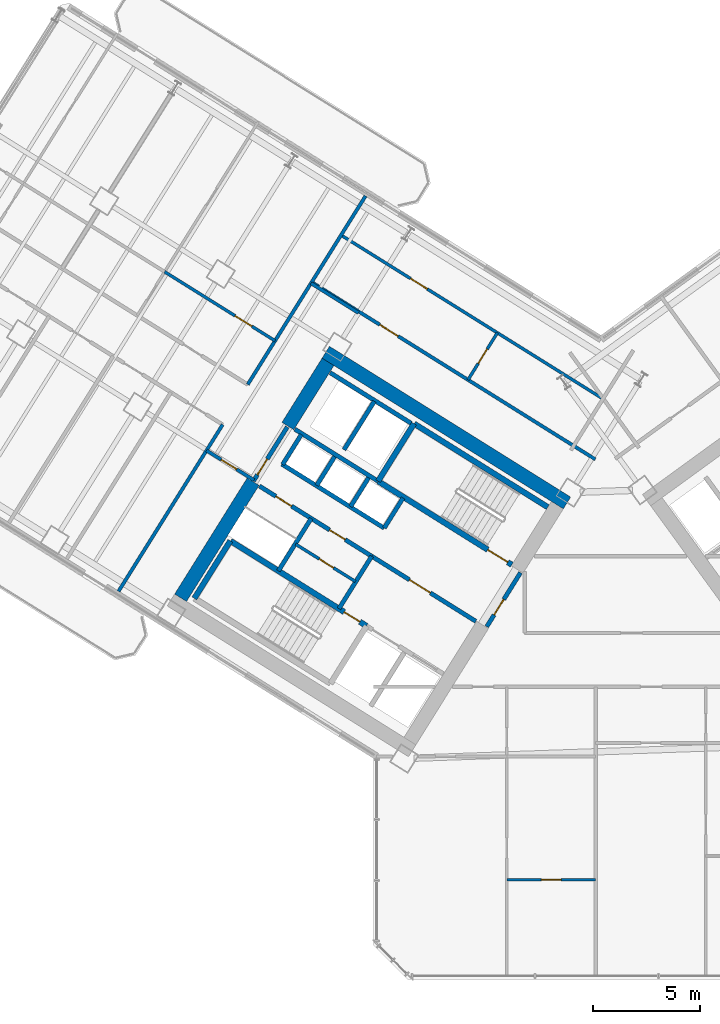
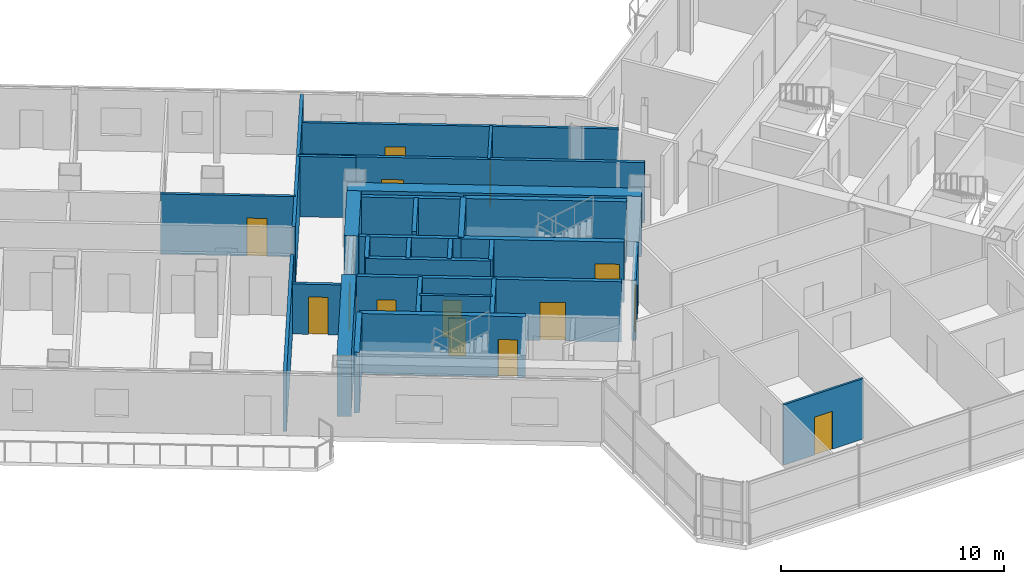
# One storey, part 12 of 21: 32 walls, 14 doors, 14 openings.
"""IFC4 building model written with IfcOpenShell, lengths in metres."""

from ifc_helpers import new_model, si_unit, direction, frame, frame_2d, origin, place, context, subcontext, project, spatial, rectangle, extrude, source, transform, mapped, material, layer, layer_set, type_object, element, fill, save


model = new_model("IFC4")

# Units and contexts
model_context = context("Model", 3, precision=1e-05, world=origin(), true_north=direction((0.0, 1.0)))
body_context = subcontext(model_context, "Body", "Model", "MODEL_VIEW")
ifc_project = project(units=[si_unit("LENGTHUNIT", "METRE"), si_unit("AREAUNIT", "SQUARE_METRE"), si_unit("VOLUMEUNIT", "CUBIC_METRE"), si_unit("PLANEANGLEUNIT", "RADIAN"), si_unit("MASSUNIT", "GRAM", prefix="KILO")], contexts=[model_context])

# Site, building, storey
site_placement = place(None, origin())
site = spatial("IfcSite", under=ifc_project, at=site_placement, CompositionType="ELEMENT")
building_placement = place(site_placement, origin())
building = spatial("IfcBuilding", under=site, at=building_placement, Name="Tlacorven Tower", CompositionType="ELEMENT")
storey_placement = place(building_placement, frame((0.0, 0.0, 81.0)))
storey = spatial("IfcBuildingStorey", under=building, at=storey_placement, Name="L20", CompositionType="ELEMENT", Elevation=81.0)

# Walls
ifc_material_1 = material(Name="Concrete C60/75", Category="concrete")
ifc_layer_1 = layer(ifc_material_1, 0.64990234375)
ifc_layer_set_1 = layer_set([ifc_layer_1], Name="Concrete C60/75")
wall_type_1 = type_object("IfcWallType", Name="WL-COR-650", PredefinedType="SHEAR", material=ifc_layer_set_1)
wall_1_placement = place(storey_placement, frame((40.615478515625, 23.9833984375, 0.0), z_axis=(0.0, 0.0, 1.0), x_axis=(-0.848045953968, 0.529922692436, 0.0)))
element("IfcWall", 1, at=wall_1_placement, inside=storey, type_object=wall_type_1, Name="L20 W core shear wall S1", PredefinedType="SHEAR", context=body_context, shape_type="SweptSolid", body=[
    extrude(rectangle(XDim=13.239990234375, YDim=0.64990234375, at=frame_2d((6.6201171875, 0.0))), origin(), (0.0, 0.0, 1.0), 3.320068359375),
])
wall_2_placement = place(storey_placement, frame((29.49072265625, 30.5517578125, 0.0), z_axis=(0.0, 0.0, 1.0), x_axis=(-0.529893103397, -0.8480644427, 0.0)))
element("IfcWall", 2, at=wall_2_placement, inside=storey, type_object=wall_type_1, Name="L20 W core end wall E2.1", PredefinedType="SHEAR", context=body_context, shape_type="SweptSolid", body=[
    extrude(rectangle(XDim=3.525146484375, YDim=0.64990234375, at=frame_2d((1.7626953125, 0.0))), origin(), (0.0, 0.0, 1.0), 3.320068359375),
])
wall_3_placement = place(storey_placement, frame((26.006591796875, 24.975830078125, 0.0), z_axis=(0.0, 0.0, 1.0), x_axis=(-0.529916319127, -0.848049936456, 0.0)))
element("IfcWall", 3, at=wall_3_placement, inside=storey, type_object=wall_type_1, Name="L20 W core end wall E2.2", PredefinedType="SHEAR", context=body_context, shape_type="SweptSolid", body=[
    extrude(rectangle(XDim=6.375, YDim=0.64990234375, at=frame_2d((3.1875, 0.0))), origin(), (0.0, 0.0, 1.0), 3.320068359375),
])
ifc_material_2 = material(Name="Gypsum plasterboard acoustic partition", Category="gypsum")
ifc_layer_2 = layer(ifc_material_2, 0.159912109375)
ifc_layer_set_2 = layer_set([ifc_layer_2], Name="Gypsum plasterboard acoustic partition")
wall_type_2 = type_object("IfcWallType", Name="WL-DEM-160", PredefinedType="PARTITIONING", material=ifc_layer_set_2)
wall_4_placement = place(storey_placement, frame((30.91357421875, 32.82861328125, 0.0), z_axis=(0.0, 0.0, 1.0), x_axis=(-0.848008813643, 0.529982124211, 0.0)))
element("IfcWall", 4, at=wall_4_placement, inside=storey, type_object=wall_type_2, Name="L20 partition 50", PredefinedType="PARTITIONING", context=body_context, shape_type="SweptSolid", body=[
    extrude(rectangle(XDim=2.610107421875, YDim=0.159912109375, at=frame_2d((1.30517578125, 0.0))), origin(), (0.0, 0.0, 1.0), 3.31005859375),
])

# Wall, opening, door
wall_5_placement = place(storey_placement, frame((26.048828125, 25.043701171875, 0.0), z_axis=(0.0, 0.0, 1.0), x_axis=(-0.848050851465, 0.529914854792, 0.0)))
wall_5 = element("IfcWall", 5, at=wall_5_placement, inside=storey, type_object=wall_type_2, Name="L20 partition 51", PredefinedType="PARTITIONING", context=body_context, shape_type="SweptSolid", body=[
    extrude(rectangle(XDim=2.60986328125, YDim=0.159912109375, at=frame_2d((1.304931640625, 0.0))), origin(), (0.0, 0.0, 1.0), 2.7451171875),
])
opening_1_placement = place(wall_5_placement, frame((0.949951171875, 0.0, 0.0)))
opening_1 = element("IfcOpeningElement", 6, at=opening_1_placement, cuts=wall_5, Name="Opening D19", PredefinedType="OPENING", context=body_context, shape_type="SweptSolid", body=[
    extrude(rectangle(XDim=0.860107421875, YDim=2.050048828125, at=frame_2d((0.43017578125, 1.02490234375))), frame((0.0, 0.08984375, 0.0), z_axis=(0.0, -1.0, 0.0), x_axis=(1.0, 0.0, 0.0)), (0.0, 0.0, 1.0), 0.179931640625),
])
ifc_material_3 = material(Name="Fire-rated steel door assembly", Category="steel")
door_type_1 = type_object("IfcDoorType", Name="DR-RSR-FD60-0860", OperationType="NOTDEFINED", PredefinedType="DOOR", material=ifc_material_3)
shared_shape_1 = source(origin(), body_context, "Body", "SweptSolid", [
    extrude(rectangle(XDim=0.860107421875, YDim=2.050048828125, at=frame_2d((0.43017578125, 1.02490234375))), frame((0.0, 0.02490234375, 0.0), z_axis=(0.0, -1.0, 0.0), x_axis=(1.0, 0.0, 0.0)), (0.0, 0.0, 1.0), 0.050048828125),
])
door_1_placement = place(opening_1_placement, origin())
door_1 = element("IfcDoor", 7, at=door_1_placement, inside=storey, type_object=door_type_1, Name="L20 door 022", OperationType="SINGLE_SWING_LEFT", OverallHeight=2.050048828125, OverallWidth=0.860107421875, PredefinedType="DOOR", context=body_context, shape_type="MappedRepresentation", body=[
    mapped(shared_shape_1, transform((0.0, 0.0, 0.0), scale=1.0)),
])
fill(opening_1, door_1)

# Walls
wall_6_placement = place(storey_placement, frame((31.238525390625, 38.27392578125, 0.0), z_axis=(0.0, 0.0, 1.0), x_axis=(-0.529914125013, -0.848051307476, 0.0)))
element("IfcWall", 8, at=wall_6_placement, inside=storey, type_object=wall_type_2, Name="L20 partition 52", PredefinedType="PARTITIONING", context=body_context, shape_type="SweptSolid", body=[
    extrude(rectangle(XDim=10.35009765625, YDim=0.159912109375, at=frame_2d((5.175048828125, 0.0))), origin(), (0.0, 0.0, 1.0), 3.31005859375),
])
wall_7_placement = place(storey_placement, frame((24.587890625, 27.630859375, 0.0), z_axis=(0.0, 0.0, 1.0), x_axis=(-0.529914992377, -0.848050765494, 0.0)))
element("IfcWall", 9, at=wall_7_placement, inside=storey, type_object=wall_type_2, Name="L20 partition 53", PredefinedType="PARTITIONING", context=body_context, shape_type="SweptSolid", body=[
    extrude(rectangle(XDim=9.14990234375, YDim=0.159912109375, at=frame_2d((4.574951171875, 0.0))), origin(), (0.0, 0.0, 1.0), 3.31005859375),
])

# Wall, opening, door
wall_8_placement = place(storey_placement, frame((41.93603515625, 26.011962890625, 0.0), z_axis=(0.0, 0.0, 1.0), x_axis=(-0.848051154596, 0.529914369676, 0.0)))
wall_8 = element("IfcWall", 10, at=wall_8_placement, inside=storey, type_object=wall_type_2, Name="L20 partition 70", PredefinedType="PARTITIONING", context=body_context, shape_type="SweptSolid", body=[
    extrude(rectangle(XDim=15.56982421875, YDim=0.159912109375, at=frame_2d((7.784912109375, 0.0))), origin(), (0.0, 0.0, 1.0), 3.31005859375),
])
opening_2_placement = place(wall_8_placement, frame((10.830078125, 0.0, 0.0)))
opening_2 = element("IfcOpeningElement", 11, at=opening_2_placement, cuts=wall_8, Name="Opening D11", PredefinedType="OPENING", context=body_context, shape_type="SweptSolid", body=[
    extrude(rectangle(XDim=1.0, YDim=2.10009765625, at=frame_2d((0.5, 1.050048828125))), frame((0.0, 0.08984375, 0.0), z_axis=(0.0, -1.0, 0.0), x_axis=(1.0, 0.0, 0.0)), (0.0, 0.0, 1.0), 0.179931640625),
])
door_type_2 = type_object("IfcDoorType", Name="DR-FLT-FD60-1000", OperationType="NOTDEFINED", PredefinedType="DOOR", material=ifc_material_3)
shared_shape_2 = source(origin(), body_context, "Body", "SweptSolid", [
    extrude(rectangle(XDim=1.0, YDim=2.10009765625, at=frame_2d((0.5, 1.050048828125))), frame((0.0, 0.02490234375, 0.0), z_axis=(0.0, -1.0, 0.0), x_axis=(1.0, 0.0, 0.0)), (0.0, 0.0, 1.0), 0.050048828125),
])
door_2_placement = place(opening_2_placement, origin())
door_2 = element("IfcDoor", 12, at=door_2_placement, inside=storey, type_object=door_type_2, Name="L20 door 039", OperationType="SINGLE_SWING_LEFT", OverallHeight=2.10009765625, OverallWidth=1.0, PredefinedType="DOOR", context=body_context, shape_type="MappedRepresentation", body=[
    mapped(shared_shape_2, transform((0.0, 0.0, 0.0), scale=1.0)),
])
fill(opening_2, door_2)

ifc_material_4 = material(Name="Gypsum plasterboard partition", Category="gypsum")
ifc_layer_3 = layer(ifc_material_4, 0.110107421875)
ifc_layer_set_3 = layer_set([ifc_layer_3], Name="Gypsum plasterboard partition")
wall_type_3 = type_object("IfcWallType", Name="WL-INT-110", PredefinedType="PARTITIONING", material=ifc_layer_set_3)
wall_9_placement = place(storey_placement, frame((37.81298828125, 6.449951171875, 0.0), z_axis=(0.0, 0.0, 1.0), x_axis=(1.0, 0.0, 0.0)))
wall_9 = element("IfcWall", 13, at=wall_9_placement, inside=storey, type_object=wall_type_3, Name="L20 partition 85", PredefinedType="PARTITIONING", context=body_context, shape_type="SweptSolid", body=[
    extrude(rectangle(XDim=4.136962890625, YDim=0.110107421875, at=frame_2d((2.068359375, 0.0))), origin(), (0.0, 0.0, 1.0), 3.31005859375),
])
opening_3_placement = place(wall_9_placement, frame((1.6083984375, 0.0, 0.0)))
opening_3 = element("IfcOpeningElement", 14, at=opening_3_placement, cuts=wall_9, Name="Opening D12", PredefinedType="OPENING", context=body_context, shape_type="SweptSolid", body=[
    extrude(rectangle(XDim=0.919921875, YDim=2.080078125, at=frame_2d((0.4599609375, 1.0400390625))), frame((0.0, 0.06494140625, 0.0), z_axis=(0.0, -1.0, 0.0), x_axis=(1.0, 0.0, 0.0)), (0.0, 0.0, 1.0), 0.130126953125),
])
ifc_material_5 = material(Name="Powder-coated aluminium and timber door", Category="wood")
door_type_3 = type_object("IfcDoorType", Name="DR-INT-ROOM-0920", OperationType="NOTDEFINED", PredefinedType="DOOR", material=ifc_material_5)
shared_shape_3 = source(origin(), body_context, "Body", "SweptSolid", [
    extrude(rectangle(XDim=0.919921875, YDim=2.080078125, at=frame_2d((0.4599609375, 1.0400390625))), frame((0.0, 0.02490234375, 0.0), z_axis=(0.0, -1.0, 0.0), x_axis=(1.0, 0.0, 0.0)), (0.0, 0.0, 1.0), 0.050048828125),
])
door_3_placement = place(opening_3_placement, origin())
door_3 = element("IfcDoor", 15, at=door_3_placement, inside=storey, type_object=door_type_3, Name="L20 door 046", OperationType="SINGLE_SWING_RIGHT", OverallHeight=2.080078125, OverallWidth=0.919921875, PredefinedType="DOOR", context=body_context, shape_type="MappedRepresentation", body=[
    mapped(shared_shape_3, transform((0.0, 0.0, 0.0), scale=1.0)),
])
fill(opening_3, door_3)

ifc_material_6 = material(Name="Moisture-resistant gypsum plumbing wall", Category="gypsum")
ifc_layer_4 = layer(ifc_material_6, 0.139892578125)
ifc_layer_set_4 = layer_set([ifc_layer_4], Name="Moisture-resistant gypsum plumbing wall")
wall_type_4 = type_object("IfcWallType", Name="WL-PLM-140", PredefinedType="PLUMBINGWALL", material=ifc_layer_set_4)
wall_10_placement = place(storey_placement, frame((30.766357421875, 20.3271484375, 0.0), z_axis=(0.0, 0.0, 1.0), x_axis=(-0.848052663127, 0.529911955482, 0.0)))
wall_10 = element("IfcWall", 16, at=wall_10_placement, inside=storey, type_object=wall_type_4, Name="L20 partition 23", PredefinedType="PLUMBINGWALL", context=body_context, shape_type="SweptSolid", body=[
    extrude(rectangle(XDim=3.27978515625, YDim=0.139892578125, at=frame_2d((1.639892578125, 0.0))), origin(), (0.0, 0.0, 1.0), 3.31005859375),
])
opening_4_placement = place(wall_10_placement, frame((1.199951171875, 0.0, 0.0)))
opening_4 = element("IfcOpeningElement", 17, at=opening_4_placement, cuts=wall_10, Name="Opening D22", PredefinedType="OPENING", context=body_context, shape_type="SweptSolid", body=[
    extrude(rectangle(XDim=0.780029296875, YDim=2.050048828125, at=frame_2d((0.39013671875, 1.02490234375))), frame((0.0, 0.080078125, 0.0), z_axis=(0.0, -1.0, 0.0), x_axis=(1.0, 0.0, 0.0)), (0.0, 0.0, 1.0), 0.159912109375),
])
door_type_4 = type_object("IfcDoorType", Name="DR-INT-WET-0780", OperationType="NOTDEFINED", PredefinedType="DOOR", material=ifc_material_5)
shared_shape_4 = source(origin(), body_context, "Body", "SweptSolid", [
    extrude(rectangle(XDim=0.780029296875, YDim=2.050048828125, at=frame_2d((0.39013671875, 1.02490234375))), frame((0.0, 0.02490234375, 0.0), z_axis=(0.0, -1.0, 0.0), x_axis=(1.0, 0.0, 0.0)), (0.0, 0.0, 1.0), 0.050048828125),
])
door_4_placement = place(opening_4_placement, origin())
door_4 = element("IfcDoor", 18, at=door_4_placement, inside=storey, type_object=door_type_4, Name="L20 door 008", OperationType="SINGLE_SWING_LEFT", OverallHeight=2.050048828125, OverallWidth=0.780029296875, PredefinedType="DOOR", context=body_context, shape_type="MappedRepresentation", body=[
    mapped(shared_shape_4, transform((0.0, 0.0, 0.0), scale=1.0)),
])
fill(opening_4, door_4)

wall_11_placement = place(storey_placement, frame((27.025634765625, 31.531982421875, 0.0), z_axis=(0.0, 0.0, 1.0), x_axis=(-0.8480503147, 0.529915713804, 0.0)))
wall_11 = element("IfcWall", 19, at=wall_11_placement, inside=storey, type_object=wall_type_4, Name="L20 partition 64", PredefinedType="PLUMBINGWALL", context=body_context, shape_type="SweptSolid", body=[
    extrude(rectangle(XDim=6.06494140625, YDim=0.139892578125, at=frame_2d((3.032470703125, 0.0))), origin(), (0.0, 0.0, 1.0), 3.31005859375),
])
opening_5_placement = place(wall_11_placement, frame((1.2724609375, 0.0, 0.0)))
opening_5 = element("IfcOpeningElement", 20, at=opening_5_placement, cuts=wall_11, Name="Opening D12", PredefinedType="OPENING", context=body_context, shape_type="SweptSolid", body=[
    extrude(rectangle(XDim=0.919921875, YDim=2.080078125, at=frame_2d((0.4599609375, 1.0400390625))), frame((0.0, 0.080078125, 0.0), z_axis=(0.0, -1.0, 0.0), x_axis=(1.0, 0.0, 0.0)), (0.0, 0.0, 1.0), 0.159912109375),
])
door_5_placement = place(opening_5_placement, origin())
door_5 = element("IfcDoor", 21, at=door_5_placement, inside=storey, type_object=door_type_3, Name="L20 door 031", OperationType="SINGLE_SWING_LEFT", OverallHeight=2.080078125, OverallWidth=0.919921875, PredefinedType="DOOR", context=body_context, shape_type="MappedRepresentation", body=[
    mapped(shared_shape_3, transform((0.0, 0.0, 0.0), scale=1.0)),
])
fill(opening_5, door_5)

wall_12_placement = place(storey_placement, frame((42.226318359375, 28.872802734375, 0.0), z_axis=(0.0, 0.0, 1.0), x_axis=(-0.848049134363, 0.529917602752, 0.0)))
wall_12 = element("IfcWall", 22, at=wall_12_placement, inside=storey, type_object=wall_type_4, Name="L20 partition 72", PredefinedType="PLUMBINGWALL", context=body_context, shape_type="SweptSolid", body=[
    extrude(rectangle(XDim=14.300048828125, YDim=0.139892578125, at=frame_2d((7.14990234375, 0.0))), origin(), (0.0, 0.0, 1.0), 3.31005859375),
])
opening_6_placement = place(wall_12_placement, frame((9.570068359375, 0.0, 0.0)))
opening_6 = element("IfcOpeningElement", 23, at=opening_6_placement, cuts=wall_12, Name="Opening D12", PredefinedType="OPENING", context=body_context, shape_type="SweptSolid", body=[
    extrude(rectangle(XDim=0.919921875, YDim=2.080078125, at=frame_2d((0.4599609375, 1.0400390625))), frame((0.0, 0.080078125, 0.0), z_axis=(0.0, -1.0, 0.0), x_axis=(1.0, 0.0, 0.0)), (0.0, 0.0, 1.0), 0.159912109375),
])
door_6_placement = place(opening_6_placement, origin())
door_6 = element("IfcDoor", 24, at=door_6_placement, inside=storey, type_object=door_type_3, Name="L20 door 040", OperationType="SINGLE_SWING_RIGHT", OverallHeight=2.080078125, OverallWidth=0.919921875, PredefinedType="DOOR", context=body_context, shape_type="MappedRepresentation", body=[
    mapped(shared_shape_3, transform((0.0, 0.0, 0.0), scale=1.0)),
])
fill(opening_6, door_6)

wall_13_placement = place(storey_placement, frame((37.37548828125, 31.904052734375, 0.0), z_axis=(0.0, 0.0, 1.0), x_axis=(-0.529913878929, -0.848051461244, 0.0)))
wall_13 = element("IfcWall", 25, at=wall_13_placement, inside=storey, type_object=wall_type_4, Name="L20 partition 73", PredefinedType="PLUMBINGWALL", context=body_context, shape_type="SweptSolid", body=[
    extrude(rectangle(XDim=2.580078125, YDim=0.139892578125, at=frame_2d((1.2900390625, 0.0))), origin(), (0.0, 0.0, 1.0), 3.31005859375),
])
opening_7_placement = place(wall_13_placement, frame((0.89990234375, 0.0, 0.0)))
opening_7 = element("IfcOpeningElement", 26, at=opening_7_placement, cuts=wall_13, Name="Opening D22", PredefinedType="OPENING", context=body_context, shape_type="SweptSolid", body=[
    extrude(rectangle(XDim=0.780029296875, YDim=2.050048828125, at=frame_2d((0.39013671875, 1.02490234375))), frame((0.0, 0.080078125, 0.0), z_axis=(0.0, -1.0, 0.0), x_axis=(1.0, 0.0, 0.0)), (0.0, 0.0, 1.0), 0.159912109375),
])
door_7_placement = place(opening_7_placement, origin())
door_7 = element("IfcDoor", 27, at=door_7_placement, inside=storey, type_object=door_type_4, Name="L20 door 041", OperationType="SINGLE_SWING_LEFT", OverallHeight=2.050048828125, OverallWidth=0.780029296875, PredefinedType="DOOR", context=body_context, shape_type="MappedRepresentation", body=[
    mapped(shared_shape_4, transform((0.0, 0.0, 0.0), scale=1.0)),
])
fill(opening_7, door_7)

ifc_material_7 = material(Name="Concrete C40/50", Category="concrete")
ifc_layer_5 = layer(ifc_material_7, 0.199951171875)
ifc_layer_set_5 = layer_set([ifc_layer_5], Name="Concrete C40/50")
wall_type_5 = type_object("IfcWallType", Name="WL-SHF-200", PredefinedType="STANDARD", material=ifc_layer_set_5)
wall_14_placement = place(storey_placement, frame((36.374267578125, 18.4736328125, 0.0), z_axis=(0.0, 0.0, 1.0), x_axis=(-0.848051071577, 0.529914502535, 0.0)))
wall_14 = element("IfcWall", 28, at=wall_14_placement, inside=storey, type_object=wall_type_5, Name="L20 Core W Smoke Lobby Wall", PredefinedType="STANDARD", context=body_context, shape_type="SweptSolid", body=[
    extrude(rectangle(XDim=5.718017578125, YDim=0.199951171875, at=frame_2d((2.85888671875, 0.0))), origin(), (0.0, 0.0, 1.0), 3.31005859375),
])
opening_8_placement = place(wall_14_placement, frame((2.498046875, 0.0, 0.0)))
opening_8 = element("IfcOpeningElement", 29, at=opening_8_placement, cuts=wall_14, Name="Opening D09", PredefinedType="OPENING", context=body_context, shape_type="SweptSolid", body=[
    extrude(rectangle(XDim=1.14990234375, YDim=2.10009765625, at=frame_2d((0.574951171875, 1.050048828125))), frame((0.0, 0.10986328125, 0.0), z_axis=(0.0, -1.0, 0.0), x_axis=(1.0, 0.0, 0.0)), (0.0, 0.0, 1.0), 0.219970703125),
])
door_type_5 = type_object("IfcDoorType", Name="DR-FFL-FD60-1150", OperationType="NOTDEFINED", PredefinedType="DOOR", material=ifc_material_3)
shared_shape_5 = source(origin(), body_context, "Body", "SweptSolid", [
    extrude(rectangle(XDim=1.14990234375, YDim=2.10009765625, at=frame_2d((0.574951171875, 1.050048828125))), frame((0.0, 0.02490234375, 0.0), z_axis=(0.0, -1.0, 0.0), x_axis=(1.0, 0.0, 0.0)), (0.0, 0.0, 1.0), 0.050048828125),
])
door_8_placement = place(opening_8_placement, origin())
door_8 = element("IfcDoor", 30, at=door_8_placement, inside=storey, type_object=door_type_5, Name="L20 Firefighting Lobby W Fire Door", OperationType="SINGLE_SWING_RIGHT", OverallHeight=2.10009765625, OverallWidth=1.14990234375, PredefinedType="DOOR", context=body_context, shape_type="MappedRepresentation", body=[
    mapped(shared_shape_5, transform((0.0, 0.0, 0.0), scale=1.0)),
])
fill(opening_8, door_8)

# Walls
wall_15_placement = place(storey_placement, frame((31.82177734375, 24.99755859375, 0.0), z_axis=(0.0, 0.0, 1.0), x_axis=(-0.848058348634, 0.529902856485, 0.0)))
element("IfcWall", 31, at=wall_15_placement, inside=storey, type_object=wall_type_5, Name="L20 Core W South Lift Shaft Wall", PredefinedType="STANDARD", context=body_context, shape_type="SweptSolid", body=[
    extrude(rectangle(XDim=4.568115234375, YDim=0.199951171875, at=frame_2d((2.2841796875, 0.0))), origin(), (0.0, 0.0, 1.0), 3.31005859375),
])
wall_16_placement = place(storey_placement, frame((32.108154296875, 22.81396484375, 0.0), z_axis=(0.0, 0.0, 1.0), x_axis=(-0.848042229521, 0.529928652696, 0.0)))
element("IfcWall", 32, at=wall_16_placement, inside=storey, type_object=wall_type_5, Name="L20 partition 11", PredefinedType="STANDARD", context=body_context, shape_type="SweptSolid", body=[
    extrude(rectangle(XDim=5.6201171875, YDim=0.199951171875, at=frame_2d((2.81005859375, 0.0))), origin(), (0.0, 0.0, 1.0), 3.31005859375),
])
wall_17_placement = place(storey_placement, frame((32.982421875, 24.21337890625, 0.0), z_axis=(0.0, 0.0, 1.0), x_axis=(-0.529839334948, -0.84809803628, 0.0)))
element("IfcWall", 33, at=wall_17_placement, inside=storey, type_object=wall_type_5, Name="L20 partition 12", PredefinedType="STANDARD", context=body_context, shape_type="SweptSolid", body=[
    extrude(rectangle(XDim=1.650146484375, YDim=0.199951171875, at=frame_2d((0.8251953125, 0.0))), origin(), (0.0, 0.0, 1.0), 3.31005859375),
])
wall_18_placement = place(storey_placement, frame((28.250244140625, 27.170166015625, 0.0), z_axis=(0.0, 0.0, 1.0), x_axis=(-0.529905827651, -0.848056492117, 0.0)))
element("IfcWall", 34, at=wall_18_placement, inside=storey, type_object=wall_type_5, Name="L20 partition 13", PredefinedType="STANDARD", context=body_context, shape_type="SweptSolid", body=[
    extrude(rectangle(XDim=1.64990234375, YDim=0.199951171875, at=frame_2d((0.824951171875, 0.0))), origin(), (0.0, 0.0, 1.0), 3.31005859375),
])
wall_19_placement = place(storey_placement, frame((31.645263671875, 28.716064453125, 0.0), z_axis=(0.0, 0.0, 1.0), x_axis=(-0.52986693015, -0.848080795876, 0.0)))
element("IfcWall", 35, at=wall_19_placement, inside=storey, type_object=wall_type_5, Name="L20 partition 15", PredefinedType="STANDARD", context=body_context, shape_type="SweptSolid", body=[
    extrude(rectangle(XDim=2.659912109375, YDim=0.199951171875, at=frame_2d((1.330078125, 0.0))), origin(), (0.0, 0.0, 1.0), 3.31005859375),
])
wall_20_placement = place(storey_placement, frame((33.362548828125, 27.690185546875, 0.0), z_axis=(0.0, 0.0, 1.0), x_axis=(-0.848053806312, 0.529910125964, 0.0)))
element("IfcWall", 36, at=wall_20_placement, inside=storey, type_object=wall_type_5, Name="L20 partition 17", PredefinedType="STANDARD", context=body_context, shape_type="SweptSolid", body=[
    extrude(rectangle(XDim=4.44775390625, YDim=0.199951171875, at=frame_2d((2.223876953125, 0.0))), origin(), (0.0, 0.0, 1.0), 3.31005859375),
])
for number, where, z_axis, x_axis, name in (
    (37, (31.378662109375, 25.156494140625, 0.0), (0.0, 0.0, 1.0), (-0.529998940003, -0.847998304005, 0.0), "L20 partition 18"),
    (38, (29.80126953125, 26.14208984375, 0.0), (0.0, 0.0, 1.0), (-0.529998940003, -0.847998304005, 0.0), "L20 partition 19"),
):
    element("IfcWall", number, at=place(storey_placement, frame(where, z_axis=z_axis, x_axis=x_axis)), inside=storey, type_object=wall_type_5, Name=name, PredefinedType="STANDARD", context=body_context, shape_type="SweptSolid", body=[
        extrude(rectangle(XDim=1.580078125, YDim=0.199951171875, at=frame_2d((0.7900390625, 0.0))), origin(), (0.0, 0.0, 1.0), 3.31005859375),
    ])
for number, where, z_axis, x_axis, name in (
    (39, (31.525146484375, 21.503662109375, 0.0), (0.0, 0.0, 1.0), (-0.529907497854, -0.848055448493, 0.0), "L20 partition 20"),
    (40, (28.709716796875, 23.26318359375, 0.0), (0.0, 0.0, 1.0), (-0.529907497854, -0.848055448493, 0.0), "L20 partition 21"),
):
    element("IfcWall", number, at=place(storey_placement, frame(where, z_axis=z_axis, x_axis=x_axis)), inside=storey, type_object=wall_type_5, Name=name, PredefinedType="STANDARD", context=body_context, shape_type="SweptSolid", body=[
        extrude(rectangle(XDim=2.8798828125, YDim=0.199951171875, at=frame_2d((1.43994140625, 0.0))), origin(), (0.0, 0.0, 1.0), 3.31005859375),
    ])

# Wall, openings, doors
wall_21_placement = place(storey_placement, frame((31.525146484375, 21.503662109375, 0.0), z_axis=(0.0, 0.0, 1.0), x_axis=(-0.848044998614, 0.529924221305, 0.0)))
wall_21 = element("IfcWall", 41, at=wall_21_placement, inside=storey, type_object=wall_type_5, Name="L20 Core W North Service Wall", PredefinedType="STANDARD", context=body_context, shape_type="SweptSolid", body=[
    extrude(rectangle(XDim=6.16796875, YDim=0.199951171875, at=frame_2d((3.083984375, 0.0))), origin(), (0.0, 0.0, 1.0), 3.31005859375),
])
opening_9_placement = place(wall_21_placement, frame((4.39990234375, 0.0, 0.0)))
opening_9 = element("IfcOpeningElement", 42, at=opening_9_placement, cuts=wall_21, Name="Opening D19", PredefinedType="OPENING", context=body_context, shape_type="SweptSolid", body=[
    extrude(rectangle(XDim=0.860107421875, YDim=2.050048828125, at=frame_2d((0.43017578125, 1.02490234375))), frame((0.0, 0.10986328125, 0.0), z_axis=(0.0, -1.0, 0.0), x_axis=(1.0, 0.0, 0.0)), (0.0, 0.0, 1.0), 0.219970703125),
])
opening_10_placement = place(wall_21_placement, frame((1.449951171875, 0.0, 0.0)))
opening_10 = element("IfcOpeningElement", 43, at=opening_10_placement, cuts=wall_21, Name="Opening D19", PredefinedType="OPENING", context=body_context, shape_type="SweptSolid", body=[
    extrude(rectangle(XDim=0.860107421875, YDim=2.050048828125, at=frame_2d((0.43017578125, 1.02490234375))), frame((0.0, 0.10986328125, 0.0), z_axis=(0.0, -1.0, 0.0), x_axis=(1.0, 0.0, 0.0)), (0.0, 0.0, 1.0), 0.219970703125),
])
door_9_placement = place(opening_9_placement, frame((0.860107421875, 0.0, 0.0), z_axis=(0.0, 0.0, 1.0), x_axis=(-1.0, 0.0, 0.0)))
door_9 = element("IfcDoor", 44, at=door_9_placement, inside=storey, type_object=door_type_1, Name="L20 Electrical Riser Access Door W", OperationType="SINGLE_SWING_LEFT", OverallHeight=2.050048828125, OverallWidth=0.860107421875, PredefinedType="DOOR", context=body_context, shape_type="MappedRepresentation", body=[
    mapped(shared_shape_1, transform((0.0, 0.0, 0.0), scale=1.0)),
])
fill(opening_9, door_9)
door_10_placement = place(opening_10_placement, frame((0.860107421875, 0.0, 0.0), z_axis=(0.0, 0.0, 1.0), x_axis=(-1.0, 0.0, 0.0)))
door_10 = element("IfcDoor", 45, at=door_10_placement, inside=storey, type_object=door_type_1, Name="L20 Cleaner Store Access Door W", OperationType="SINGLE_SWING_RIGHT", OverallHeight=2.050048828125, OverallWidth=0.860107421875, PredefinedType="DOOR", context=body_context, shape_type="MappedRepresentation", body=[
    mapped(shared_shape_1, transform((0.0, 0.0, 0.0), scale=1.0)),
])
fill(opening_10, door_10)

# Wall, opening, door
wall_22_placement = place(storey_placement, frame((27.59619140625, 27.52001953125, 0.0), z_axis=(0.0, 0.0, 1.0), x_axis=(-0.529865479138, -0.848081702443, 0.0)))
wall_22 = element("IfcWall", 46, at=wall_22_placement, inside=storey, type_object=wall_type_5, Name="L20 partition 49", PredefinedType="STANDARD", context=body_context, shape_type="SweptSolid", body=[
    extrude(rectangle(XDim=2.9599609375, YDim=0.199951171875, at=frame_2d((1.47998046875, 0.0))), origin(), (0.0, 0.0, 1.0), 3.31005859375),
])
opening_11_placement = place(wall_22_placement, frame((1.760009765625, 0.0, 0.0)))
opening_11 = element("IfcOpeningElement", 47, at=opening_11_placement, cuts=wall_22, Name="Opening D19", PredefinedType="OPENING", context=body_context, shape_type="SweptSolid", body=[
    extrude(rectangle(XDim=0.860107421875, YDim=2.050048828125, at=frame_2d((0.43017578125, 1.02490234375))), frame((0.0, 0.10986328125, 0.0), z_axis=(0.0, -1.0, 0.0), x_axis=(1.0, 0.0, 0.0)), (0.0, 0.0, 1.0), 0.219970703125),
])
door_11_placement = place(opening_11_placement, origin())
door_11 = element("IfcDoor", 48, at=door_11_placement, inside=storey, type_object=door_type_1, Name="L20 door 023", OperationType="SINGLE_SWING_LEFT", OverallHeight=2.050048828125, OverallWidth=0.860107421875, PredefinedType="DOOR", context=body_context, shape_type="MappedRepresentation", body=[
    mapped(shared_shape_1, transform((0.0, 0.0, 0.0), scale=1.0)),
])
fill(opening_11, door_11)

wall_23_placement = place(storey_placement, frame((38.451416015625, 20.737060546875, 0.0), z_axis=(0.0, 0.0, 1.0), x_axis=(-0.529924799939, -0.848044637038, 0.0)))
wall_23 = element("IfcWall", 49, at=wall_23_placement, inside=storey, type_object=wall_type_5, Name="L20 partition 74", PredefinedType="STANDARD", context=body_context, shape_type="SweptSolid", body=[
    extrude(rectangle(XDim=2.9599609375, YDim=0.199951171875, at=frame_2d((1.47998046875, 0.0))), origin(), (0.0, 0.0, 1.0), 3.31005859375),
])
opening_12_placement = place(wall_23_placement, frame((1.4599609375, 0.0, 0.0)))
opening_12 = element("IfcOpeningElement", 50, at=opening_12_placement, cuts=wall_23, Name="Opening D19", PredefinedType="OPENING", context=body_context, shape_type="SweptSolid", body=[
    extrude(rectangle(XDim=0.860107421875, YDim=2.050048828125, at=frame_2d((0.43017578125, 1.02490234375))), frame((0.0, 0.10986328125, 0.0), z_axis=(0.0, -1.0, 0.0), x_axis=(1.0, 0.0, 0.0)), (0.0, 0.0, 1.0), 0.219970703125),
])
door_12_placement = place(opening_12_placement, frame((0.860107421875, 0.0, 0.0), z_axis=(0.0, 0.0, 1.0), x_axis=(-1.0, 0.0, 0.0)))
door_12 = element("IfcDoor", 51, at=door_12_placement, inside=storey, type_object=door_type_1, Name="L20 door 043", OperationType="SINGLE_SWING_LEFT", OverallHeight=2.050048828125, OverallWidth=0.860107421875, PredefinedType="DOOR", context=body_context, shape_type="MappedRepresentation", body=[
    mapped(shared_shape_1, transform((0.0, 0.0, 0.0), scale=1.0)),
])
fill(opening_12, door_12)

ifc_material_8 = material(Name="Concrete C50/60", Category="concrete")
ifc_layer_6 = layer(ifc_material_8, 0.260009765625)
ifc_layer_set_6 = layer_set([ifc_layer_6], Name="Concrete C50/60")
wall_type_6 = type_object("IfcWallType", Name="WL-STW-260", PredefinedType="SHEAR", material=ifc_layer_set_6)
wall_24_placement = place(storey_placement, frame((31.279541015625, 18.26123046875, 0.0), z_axis=(0.0, 0.0, 1.0), x_axis=(-0.848051618787, 0.529913626805, 0.0)))
wall_24 = element("IfcWall", 52, at=wall_24_placement, inside=storey, type_object=wall_type_6, Name="L20 Stair W1 Lobby Shear Wall", PredefinedType="SHEAR", context=body_context, shape_type="SweptSolid", body=[
    extrude(rectangle(XDim=7.4599609375, YDim=0.260009765625, at=frame_2d((3.72998046875, 0.0))), origin(), (0.0, 0.0, 1.0), 3.320068359375),
])
opening_13_placement = place(wall_24_placement, frame((0.360107421875, 0.0, 0.0)))
opening_13 = element("IfcOpeningElement", 53, at=opening_13_placement, cuts=wall_24, Name="Opening D19", PredefinedType="OPENING", context=body_context, shape_type="SweptSolid", body=[
    extrude(rectangle(XDim=0.860107421875, YDim=2.050048828125, at=frame_2d((0.43017578125, 1.02490234375))), frame((0.0, 0.14013671875, 0.0), z_axis=(0.0, -1.0, 0.0), x_axis=(1.0, 0.0, 0.0)), (0.0, 0.0, 1.0), 0.280029296875),
])
door_13_placement = place(opening_13_placement, frame((0.860107421875, 0.0, 0.0), z_axis=(0.0, 0.0, 1.0), x_axis=(-1.0, 0.0, 0.0)))
door_13 = element("IfcDoor", 54, at=door_13_placement, inside=storey, type_object=door_type_1, Name="L20 Exit Stair W1 Fire Door", OperationType="SINGLE_SWING_LEFT", OverallHeight=2.050048828125, OverallWidth=0.860107421875, PredefinedType="DOOR", context=body_context, shape_type="MappedRepresentation", body=[
    mapped(shared_shape_1, transform((0.0, 0.0, 0.0), scale=1.0)),
])
fill(opening_13, door_13)

# Walls
wall_25_placement = place(storey_placement, frame((24.944580078125, 22.2197265625, 0.0), z_axis=(0.0, 0.0, 1.0), x_axis=(-0.529908658664, -0.84805472316, 0.0)))
element("IfcWall", 55, at=wall_25_placement, inside=storey, type_object=wall_type_6, Name="L20 Stair W1 East Shear Wall", PredefinedType="SHEAR", context=body_context, shape_type="SweptSolid", body=[
    extrude(rectangle(XDim=3.16015625, YDim=0.260009765625, at=frame_2d((1.580078125, 0.0))), origin(), (0.0, 0.0, 1.0), 3.320068359375),
])
wall_26_placement = place(storey_placement, frame((39.720947265625, 23.787841796875, 0.0), z_axis=(0.0, 0.0, 1.0), x_axis=(-0.848054434086, 0.529909121291, 0.0)))
element("IfcWall", 56, at=wall_26_placement, inside=storey, type_object=wall_type_6, Name="L20 Stair W2 Far Shear Wall", PredefinedType="SHEAR", context=body_context, shape_type="SweptSolid", body=[
    extrude(rectangle(XDim=7.330078125, YDim=0.260009765625, at=frame_2d((3.6650390625, 0.0))), origin(), (0.0, 0.0, 1.0), 3.320068359375),
])

# Wall, opening, door
wall_27_placement = place(storey_placement, frame((38.04638671875, 21.10791015625, 0.0), z_axis=(0.0, 0.0, 1.0), x_axis=(-0.848054434086, 0.529909121291, 0.0)))
wall_27 = element("IfcWall", 57, at=wall_27_placement, inside=storey, type_object=wall_type_6, Name="L20 Stair W2 Lobby Shear Wall", PredefinedType="SHEAR", context=body_context, shape_type="SweptSolid", body=[
    extrude(rectangle(XDim=7.330078125, YDim=0.260009765625, at=frame_2d((3.6650390625, 0.0))), origin(), (0.0, 0.0, 1.0), 3.320068359375),
])
opening_14_placement = place(wall_27_placement, frame((0.219970703125, 0.0, 0.0)))
opening_14 = element("IfcOpeningElement", 58, at=opening_14_placement, cuts=wall_27, Name="Opening D07", PredefinedType="OPENING", context=body_context, shape_type="SweptSolid", body=[
    extrude(rectangle(XDim=1.10009765625, YDim=2.10009765625, at=frame_2d((0.550048828125, 1.050048828125))), frame((0.0, 0.14013671875, 0.0), z_axis=(0.0, -1.0, 0.0), x_axis=(1.0, 0.0, 0.0)), (0.0, 0.0, 1.0), 0.280029296875),
])
door_type_6 = type_object("IfcDoorType", Name="DR-STR-FD90-1100", OperationType="NOTDEFINED", PredefinedType="DOOR", material=ifc_material_3)
shared_shape_6 = source(origin(), body_context, "Body", "SweptSolid", [
    extrude(rectangle(XDim=1.10009765625, YDim=2.10009765625, at=frame_2d((0.550048828125, 1.050048828125))), frame((0.0, 0.02490234375, 0.0), z_axis=(0.0, -1.0, 0.0), x_axis=(1.0, 0.0, 0.0)), (0.0, 0.0, 1.0), 0.050048828125),
])
door_14_placement = place(opening_14_placement, origin())
door_14 = element("IfcDoor", 59, at=door_14_placement, inside=storey, type_object=door_type_6, Name="L20 Exit Stair W2 Fire Door", OperationType="SINGLE_SWING_LEFT", OverallHeight=2.10009765625, OverallWidth=1.10009765625, PredefinedType="DOOR", context=body_context, shape_type="MappedRepresentation", body=[
    mapped(shared_shape_6, transform((0.0, 0.0, 0.0), scale=1.0)),
])
fill(opening_14, door_14)

# Wall
wall_28_placement = place(storey_placement, frame((33.496337890625, 27.677490234375, 0.0), z_axis=(0.0, 0.0, 1.0), x_axis=(-0.529908658664, -0.84805472316, 0.0)))
element("IfcWall", 60, at=wall_28_placement, inside=storey, type_object=wall_type_6, Name="L20 Stair W2 East Shear Wall", PredefinedType="SHEAR", context=body_context, shape_type="SweptSolid", body=[
    extrude(rectangle(XDim=3.16015625, YDim=0.260009765625, at=frame_2d((1.580078125, 0.0))), origin(), (0.0, 0.0, 1.0), 3.320068359375),
])

save(model, "model.ifc")
